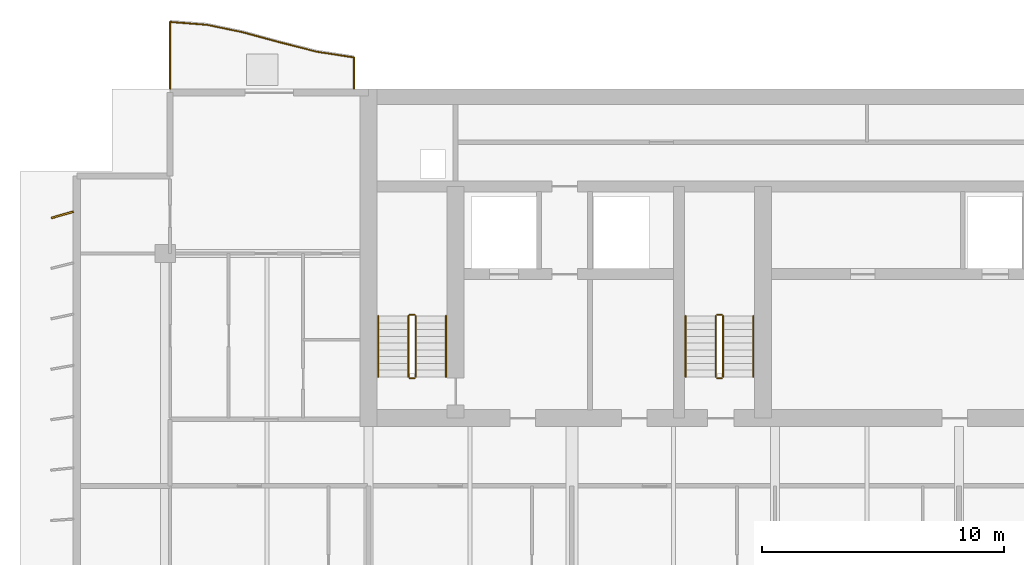
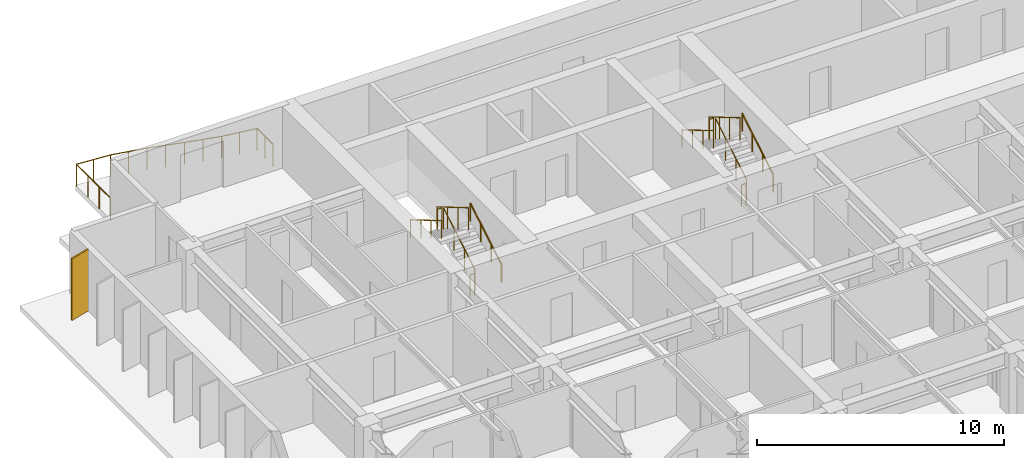
# One storey, part 15 of 17: 13 railings, 1 shading device.
"""IFC4 building model written with IfcOpenShell, lengths in metres."""

import ifcopenshell
import ifcopenshell.guid

model = None  # the IFC model being written
_history = None  # IfcOwnerHistory: only IFC2X3 demands one
_inside = {}  # id of a spatial element -> (the spatial element, [elements in it])
_under = {}  # id of a project, library or spatial element -> (it, [spatial elements below it])
_declared = {}  # id of a project -> (the project, [libraries it declares])
_typed = {}  # id of a type object -> (the type object, [elements of that type])
_made_of = {}  # id of a material, layer set ... -> (it, [elements and type objects made of it])


def new_model(schema):
    """Start an empty IFC model of exactly this schema.

    Asked for "IFC4X3", IfcOpenShell would pick the latest addendum, in which some entities
    have other attributes; the version numbers below select the first issue.
    IFC2X3 requires an IfcOwnerHistory on every rooted entity: one is made here for all.
    """
    global model, _history
    if schema == "IFC4X3":
        model = ifcopenshell.file(schema_version=(4, 3, 0, 0))
    else:
        model = ifcopenshell.file(schema=schema)
    _inside.clear()
    _under.clear()
    _declared.clear()
    _typed.clear()
    _made_of.clear()
    _history = None
    if model.schema == "IFC2X3":
        org = make("IfcOrganization", Name="unknown")
        user = make(
            "IfcPersonAndOrganization",
            ThePerson=make("IfcPerson", FamilyName="unknown"),
            TheOrganization=org,
        )
        app = make(
            "IfcApplication",
            ApplicationDeveloper=org,
            Version="unknown",
            ApplicationFullName="unknown",
            ApplicationIdentifier="unknown",
        )
        _history = make(
            "IfcOwnerHistory",
            OwningUser=user,
            OwningApplication=app,
            ChangeAction="ADDED",
            CreationDate=0,
        )
    return model


def make(cls, **values):
    """One entity of the class cls with the attributes given. An attribute that is None is left unset."""
    return model.create_entity(
        cls, **{name: value for name, value in values.items() if value is not None}
    )


def rooted(cls, **values):
    """An entity with a GlobalId (a new one), such as an element, a storey or a relation."""
    return make(cls, GlobalId=ifcopenshell.guid.new(), OwnerHistory=_history, **values)


def si_unit(unit_type, name, prefix=None):
    """IfcSIUnit, for example si_unit("LENGTHUNIT", "METRE", prefix="MILLI")."""
    return make("IfcSIUnit", UnitType=unit_type, Prefix=prefix, Name=name)


def assignment(units):
    """IfcUnitAssignment: the units of a project."""
    return None if units is None else make("IfcUnitAssignment", Units=units)


def point(xyz):
    """IfcCartesianPoint."""
    return None if xyz is None else make("IfcCartesianPoint", Coordinates=xyz)


def direction(xyz):
    """IfcDirection."""
    return None if xyz is None else make("IfcDirection", DirectionRatios=xyz)


def frame(location, z_axis=None, x_axis=None):
    """IfcAxis2Placement3D, a coordinate frame: its origin and axes. An axis left out is left unset."""
    return make(
        "IfcAxis2Placement3D",
        Location=point(location),
        Axis=direction(z_axis),
        RefDirection=direction(x_axis),
    )


def frame_2d(location, x_axis=None):
    """IfcAxis2Placement2D, a coordinate frame in the plane: its origin and x axis."""
    return make(
        "IfcAxis2Placement2D", Location=point(location), RefDirection=direction(x_axis)
    )


def origin():
    """The frame at (0, 0, 0) with its axes left unset."""
    return frame((0.0, 0.0, 0.0))


def origin_2d():
    """The frame at (0, 0) in the plane with its x axis left unset."""
    return frame_2d((0.0, 0.0))


def place(relative_to, where):
    """IfcLocalPlacement: puts the frame where relative to a parent placement (None: the world)."""
    return make(
        "IfcLocalPlacement", PlacementRelTo=relative_to, RelativePlacement=where
    )


def context(
    kind, dimensions, precision=None, world=None, true_north=None, identifier=None
):
    """IfcGeometricRepresentationContext, for example the 3D "Model" context."""
    return make(
        "IfcGeometricRepresentationContext",
        ContextIdentifier=identifier,
        ContextType=kind,
        CoordinateSpaceDimension=dimensions,
        Precision=precision,
        WorldCoordinateSystem=world,
        TrueNorth=true_north,
    )


def subcontext(parent, identifier, kind, view, scale=None):
    """IfcGeometricRepresentationSubContext, for example "Body" below "Model"."""
    return make(
        "IfcGeometricRepresentationSubContext",
        ContextIdentifier=identifier,
        ContextType=kind,
        ParentContext=parent,
        TargetScale=scale,
        TargetView=view,
    )


def project(units=None, contexts=None):
    """IfcProject with its units and contexts."""
    return rooted(
        "IfcProject",
        Name="project",
        RepresentationContexts=contexts,
        UnitsInContext=assignment(units),
    )


def spatial(cls, under=None, at=None, **own):
    """A site, building, storey or space (cls), placed at a placement, below another one or the project."""
    s = rooted(cls, ObjectPlacement=at, **own)
    if under is not None:
        _under.setdefault(under.id(), (under, []))[1].append(s)
    return s


def profile(cls, at=None, kind="AREA", **sizes):
    """A parametric profile (cls). Its sizes go by their IFC names, for example OverallWidth=200.0."""
    return make(cls, ProfileType=kind, Position=at, **sizes)


def rectangle(**sizes):
    """IfcRectangleProfileDef."""
    return profile("IfcRectangleProfileDef", **sizes)


def circle(**sizes):
    """IfcCircleProfileDef."""
    return profile("IfcCircleProfileDef", **sizes)


def extrude(swept, where, along, depth):
    """IfcExtrudedAreaSolid: the profile swept, set in the frame where, extruded along a direction by depth."""
    return make(
        "IfcExtrudedAreaSolid",
        SweptArea=swept,
        Position=where,
        ExtrudedDirection=direction(along),
        Depth=depth,
    )


def shape(context_of_items, identifier, shape_type, items):
    """IfcShapeRepresentation: the items that make up one representation, for example the "Body"."""
    return make(
        "IfcShapeRepresentation",
        ContextOfItems=context_of_items,
        RepresentationIdentifier=identifier,
        RepresentationType=shape_type,
        Items=items,
    )


def material(Name=None, Category=None):
    """IfcMaterial."""
    return make("IfcMaterial", Name=Name, Category=Category)


def material_profile(
    of_material, cross_section, Name=None, Category=None, Priority=None
):
    """IfcMaterialProfile: a cross section and its material."""
    return make(
        "IfcMaterialProfile",
        Name=Name,
        Material=of_material,
        Profile=cross_section,
        Priority=Priority,
        Category=Category,
    )


def profile_set(profiles, Name=None, composite=None):
    """IfcMaterialProfileSet."""
    return make(
        "IfcMaterialProfileSet",
        Name=Name,
        MaterialProfiles=profiles,
        CompositeProfile=composite,
    )


def made_of(thing, what):
    """Note that an element or type object is made of a material, layer set ...; save() writes the relation."""
    if what is not None:
        _made_of.setdefault(what.id(), (what, []))[1].append(thing)
    return thing


def type_object(cls, material=None, **own):
    """A type object (cls), such as IfcWallType, which elements share."""
    return made_of(rooted(cls, **own), material)


def element(
    cls,
    number,
    at=None,
    inside=None,
    cuts=None,
    type_object=None,
    material=None,
    context=None,
    identifier="Body",
    shape_type=None,
    held_by="IfcProductDefinitionShape",
    body=None,
    shapes=None,
    **own,
):
    """One element of the class cls, such as IfcWall. Its Tag is "e" and its number.

    at: its placement. inside: the storey or other place that contains it. cuts: it is an
    opening in that element (IfcRelVoidsElement). A single representation is given by context,
    identifier, shape_type and body (its items); several are given by shapes. held_by: the class
    of the entity that holds the representations. save() writes the other relations.
    """
    e = rooted(cls, Tag="e%d" % number, ObjectPlacement=at, **own)
    if body is not None:
        shapes = [shape(context, identifier, shape_type, body)]
    if shapes is not None:
        e.Representation = make(held_by, Representations=shapes)
    if inside is not None:
        _inside.setdefault(inside.id(), (inside, []))[1].append(e)
    if cuts is not None:
        rooted(
            "IfcRelVoidsElement", RelatingBuildingElement=cuts, RelatedOpeningElement=e
        )
    if type_object is not None:
        _typed.setdefault(type_object.id(), (type_object, []))[1].append(e)
    return made_of(e, material)


def aggregate(whole, parts):
    """IfcRelAggregates: a whole, such as a stair, and the parts it consists of."""
    return rooted("IfcRelAggregates", RelatingObject=whole, RelatedObjects=parts)


def save(model, path):
    """Write the relations noted so far, then the file.

    IfcRelAggregates (storeys below a building ...), IfcRelContainedInSpatialStructure (elements
    in a storey), IfcRelDefinesByType, IfcRelAssociatesMaterial and IfcRelDeclares: one each for
    every whole, place, type object, material and project.
    """
    for whole, parts in _under.values():
        aggregate(whole, parts)
    for where, things in _inside.values():
        rooted(
            "IfcRelContainedInSpatialStructure",
            RelatedElements=things,
            RelatingStructure=where,
        )
    for kind, things in _typed.values():
        rooted("IfcRelDefinesByType", RelatedObjects=things, RelatingType=kind)
    for what, things in _made_of.values():
        rooted("IfcRelAssociatesMaterial", RelatedObjects=things, RelatingMaterial=what)
    for by, libraries in _declared.values():
        rooted("IfcRelDeclares", RelatingContext=by, RelatedDefinitions=libraries)
    model.write(path)


model = new_model("IFC4")

# Units and contexts
model_context = context("Model", 3, precision=1e-05, world=origin(), true_north=direction((0.0, 1.0)))
body_context = subcontext(model_context, "Body", "Model", "MODEL_VIEW")
ifc_project = project(units=[si_unit("LENGTHUNIT", "METRE"), si_unit("AREAUNIT", "SQUARE_METRE"), si_unit("VOLUMEUNIT", "CUBIC_METRE"), si_unit("PLANEANGLEUNIT", "RADIAN"), si_unit("MASSUNIT", "GRAM", prefix="KILO")], contexts=[model_context])

# Site, building, storey
site_placement = place(None, origin())
site = spatial("IfcSite", under=ifc_project, at=site_placement, CompositionType="ELEMENT")
building_placement = place(site_placement, origin())
building = spatial("IfcBuilding", under=site, at=building_placement, Name="Caelmar Bay Residences", CompositionType="ELEMENT")
storey_placement = place(building_placement, frame((0.0, 0.0, 157.199951171875)))
storey = spatial("IfcBuildingStorey", under=building, at=storey_placement, Name="L43", CompositionType="ELEMENT", Elevation=157.199951171875)

# Railings
ifc_material_1 = material(Name="Anodised bronze handrail with laminated hurricane glass infill", Category="glass")
railing_type_1 = type_object("IfcRailingType", Name="RL-BAL-1100", PredefinedType="BALUSTRADE", material=ifc_material_1)
railing_1_placement = place(storey_placement, frame((17.699951171875, 50.60009765625, 0.0)))
element("IfcRailing", 1, at=railing_1_placement, inside=storey, type_object=railing_type_1, Name="L43 north_west Balcony Balustrade", PredefinedType="BALUSTRADE", context=body_context, shape_type="SweptSolid", body=[
    extrude(circle(Radius=0.02392578125, at=origin_2d()), frame((0.0, 0.0, 1.076171875), z_axis=(0.0, 1.0, 0.0), x_axis=(-1.0, 0.0, 0.0)), (0.0, 0.0, 1.0), 1.30322265625),
    extrude(circle(Radius=0.02392578125, at=origin_2d()), frame((0.0, 1.30322265625, 1.076171875), z_axis=(-0.988581843738, 0.150684897158, 0.0), x_axis=(-0.150684897158, -0.988581843738, 0.0)), (0.0, 0.0, 1.0), 1.53759765625),
    extrude(circle(Radius=0.02392578125, at=origin_2d()), frame((-1.52001953125, 1.534912109375, 1.076171875), z_axis=(-0.969497919705, 0.245099538326, 0.0), x_axis=(-0.245099538326, -0.969497919705, 0.0)), (0.0, 0.0, 1.0), 1.56787109375),
    extrude(circle(Radius=0.02392578125, at=origin_2d()), frame((-3.0400390625, 1.919189453125, 1.076171875), z_axis=(-0.964527479323, 0.263982464627, 0.0), x_axis=(-0.263982464627, -0.964527479323, 0.0)), (0.0, 0.0, 1.0), 1.575927734375),
    extrude(circle(Radius=0.02392578125, at=origin_2d()), frame((-4.56005859375, 2.335205078125, 1.076171875), z_axis=(-0.978976494466, 0.20397309451, 0.0), x_axis=(-0.20397309451, -0.978976494466, 0.0)), (0.0, 0.0, 1.0), 1.552490234375),
    extrude(circle(Radius=0.02392578125, at=origin_2d()), frame((-6.079833984375, 2.65185546875, 1.076171875), z_axis=(-0.996991988413, 0.077504677544, 0.0), x_axis=(-0.077504677544, -0.996991988413, 0.0)), (0.0, 0.0, 1.0), 1.524658203125),
    extrude(circle(Radius=0.02392578125, at=origin_2d()), frame((-7.599853515625, 2.77001953125, 1.076171875), z_axis=(0.0, -1.0, 0.0), x_axis=(1.0, 0.0, 0.0)), (0.0, 0.0, 1.0), 2.77001953125),
    extrude(circle(Radius=0.02099609375, at=origin_2d()), origin(), (0.0, 0.0, 1.0), 1.052001953125),
    extrude(circle(Radius=0.02099609375, at=origin_2d()), frame((0.0, 0.651611328125, 0.0)), (0.0, 0.0, 1.0), 1.052001953125),
    extrude(circle(Radius=0.02099609375, at=origin_2d()), frame((0.0, 1.30322265625, 0.0)), (0.0, 0.0, 1.0), 1.052001953125),
    extrude(circle(Radius=0.02099609375, at=origin_2d()), frame((-0.760009765625, 1.4189453125, 0.0)), (0.0, 0.0, 1.0), 1.052001953125),
    extrude(circle(Radius=0.02099609375, at=origin_2d()), frame((-1.52001953125, 1.534912109375, 0.0)), (0.0, 0.0, 1.0), 1.052001953125),
    extrude(circle(Radius=0.02099609375, at=origin_2d()), frame((-2.280029296875, 1.72705078125, 0.0)), (0.0, 0.0, 1.0), 1.052001953125),
    extrude(circle(Radius=0.02099609375, at=origin_2d()), frame((-3.0400390625, 1.919189453125, 0.0)), (0.0, 0.0, 1.0), 1.052001953125),
    extrude(circle(Radius=0.02099609375, at=origin_2d()), frame((-3.800048828125, 2.127197265625, 0.0)), (0.0, 0.0, 1.0), 1.052001953125),
    extrude(circle(Radius=0.02099609375, at=origin_2d()), frame((-4.56005859375, 2.335205078125, 0.0)), (0.0, 0.0, 1.0), 1.052001953125),
    extrude(circle(Radius=0.02099609375, at=origin_2d()), frame((-5.31982421875, 2.49365234375, 0.0)), (0.0, 0.0, 1.0), 1.052001953125),
    extrude(circle(Radius=0.02099609375, at=origin_2d()), frame((-6.079833984375, 2.65185546875, 0.0)), (0.0, 0.0, 1.0), 1.052001953125),
    extrude(circle(Radius=0.02099609375, at=origin_2d()), frame((-6.83984375, 2.7109375, 0.0)), (0.0, 0.0, 1.0), 1.052001953125),
    extrude(circle(Radius=0.02099609375, at=origin_2d()), frame((-7.599853515625, 2.77001953125, 0.0)), (0.0, 0.0, 1.0), 1.052001953125),
    extrude(circle(Radius=0.02099609375, at=origin_2d()), frame((-7.599853515625, 1.8466796875, 0.0)), (0.0, 0.0, 1.0), 1.052001953125),
    extrude(circle(Radius=0.02099609375, at=origin_2d()), frame((-7.599853515625, 0.92333984375, 0.0)), (0.0, 0.0, 1.0), 1.052001953125),
    extrude(circle(Radius=0.02099609375, at=origin_2d()), frame((-7.599853515625, 0.0, 0.0)), (0.0, 0.0, 1.0), 1.052001953125),
])
ifc_material_2 = material(Name="Painted galvanized steel stair guard 1100 mm", Category="steel")
railing_type_2 = type_object("IfcRailingType", Name="RL-GRD-1100", PredefinedType="GUARDRAIL", material=ifc_material_2)
railing_2_placement = place(storey_placement, frame((20.25, 38.699951171875, 0.1650390625)))
element("IfcRailing", 2, at=railing_2_placement, inside=storey, type_object=railing_type_2, Name="L43 ST1 stair guard 1", PredefinedType="GUARDRAIL", context=body_context, shape_type="SweptSolid", body=[
    extrude(circle(Radius=0.02392578125, at=origin_2d()), frame((0.0, 0.0, 1.076171875), z_axis=(0.0, 0.86152411907, 0.507716645641), x_axis=(-1.0, 0.0, 0.0)), (0.0, 0.0, 1.0), 2.925048828125),
    extrude(circle(Radius=0.02099609375, at=origin_2d()), origin(), (0.0, 0.0, 1.0), 1.052001953125),
    extrude(circle(Radius=0.02099609375, at=origin_2d()), frame((0.0, 0.840087890625, 0.4951171875)), (0.0, 0.0, 1.0), 1.052001953125),
    extrude(circle(Radius=0.02099609375, at=origin_2d()), frame((0.0, 1.679931640625, 0.989990234375)), (0.0, 0.0, 1.0), 1.052001953125),
    extrude(circle(Radius=0.02099609375, at=origin_2d()), frame((0.0, 2.52001953125, 1.485107421875)), (0.0, 0.0, 1.0), 1.052001953125),
])
railing_3_placement = place(storey_placement, frame((20.199951171875, 41.27001953125, 1.650146484375)))
element("IfcRailing", 3, at=railing_3_placement, inside=storey, type_object=railing_type_2, Name="L43 ST1 stair guard 2", PredefinedType="GUARDRAIL", context=body_context, shape_type="SweptSolid", body=[
    extrude(circle(Radius=0.02392578125, at=origin_2d()), frame((0.0, 0.0, 1.076171875), z_axis=(-1.0, 0.0, 0.0), x_axis=(0.0, -1.0, 0.0)), (0.0, 0.0, 1.0), 0.199951171875),
    extrude(circle(Radius=0.02099609375, at=origin_2d()), origin(), (0.0, 0.0, 1.0), 1.052001953125),
    extrude(circle(Radius=0.02099609375, at=origin_2d()), frame((-0.199951171875, 0.0, 0.0)), (0.0, 0.0, 1.0), 1.052001953125),
])
railing_4_placement = place(storey_placement, frame((19.949951171875, 41.219970703125, 1.81494140625)))
element("IfcRailing", 4, at=railing_4_placement, inside=storey, type_object=railing_type_2, Name="L43 ST1 stair guard 3", PredefinedType="GUARDRAIL", context=body_context, shape_type="SweptSolid", body=[
    extrude(circle(Radius=0.02392578125, at=origin_2d()), frame((0.0, 0.0, 1.076171875), z_axis=(0.0, -0.86152411907, 0.507716645641), x_axis=(1.0, 0.0, 0.0)), (0.0, 0.0, 1.0), 2.925048828125),
    extrude(circle(Radius=0.02099609375, at=origin_2d()), origin(), (0.0, 0.0, 1.0), 1.052001953125),
    extrude(circle(Radius=0.02099609375, at=origin_2d()), frame((0.0, -0.840087890625, 0.4951171875)), (0.0, 0.0, 1.0), 1.052001953125),
    extrude(circle(Radius=0.02099609375, at=origin_2d()), frame((0.0, -1.679931640625, 0.989990234375)), (0.0, 0.0, 1.0), 1.052001953125),
    extrude(circle(Radius=0.02099609375, at=origin_2d()), frame((0.0, -2.52001953125, 1.485107421875)), (0.0, 0.0, 1.0), 1.052001953125),
])
railing_5_placement = place(storey_placement, frame((20.199951171875, 38.64990234375, 0.0)))
element("IfcRailing", 5, at=railing_5_placement, inside=storey, type_object=railing_type_2, Name="L43 ST1 stair guard 4", PredefinedType="GUARDRAIL", context=body_context, shape_type="SweptSolid", body=[
    extrude(circle(Radius=0.02392578125, at=origin_2d()), frame((0.0, 0.0, 1.076171875), z_axis=(-1.0, 0.0, 0.0), x_axis=(0.0, -1.0, 0.0)), (0.0, 0.0, 1.0), 0.199951171875),
    extrude(circle(Radius=0.02099609375, at=origin_2d()), origin(), (0.0, 0.0, 1.0), 1.052001953125),
    extrude(circle(Radius=0.02099609375, at=origin_2d()), frame((-0.199951171875, 0.0, 0.0)), (0.0, 0.0, 1.0), 1.052001953125),
])
railing_6_placement = place(storey_placement, frame((32.949951171875, 38.699951171875, 0.1650390625)))
element("IfcRailing", 6, at=railing_6_placement, inside=storey, type_object=railing_type_2, Name="L43 ST3 stair guard 1", PredefinedType="GUARDRAIL", context=body_context, shape_type="SweptSolid", body=[
    extrude(circle(Radius=0.02392578125, at=origin_2d()), frame((0.0, 0.0, 1.076171875), z_axis=(0.0, 0.86152411907, 0.507716645641), x_axis=(-1.0, 0.0, 0.0)), (0.0, 0.0, 1.0), 2.925048828125),
    extrude(circle(Radius=0.02099609375, at=origin_2d()), origin(), (0.0, 0.0, 1.0), 1.052001953125),
    extrude(circle(Radius=0.02099609375, at=origin_2d()), frame((0.0, 0.840087890625, 0.4951171875)), (0.0, 0.0, 1.0), 1.052001953125),
    extrude(circle(Radius=0.02099609375, at=origin_2d()), frame((0.0, 1.679931640625, 0.989990234375)), (0.0, 0.0, 1.0), 1.052001953125),
    extrude(circle(Radius=0.02099609375, at=origin_2d()), frame((0.0, 2.52001953125, 1.485107421875)), (0.0, 0.0, 1.0), 1.052001953125),
])
railing_7_placement = place(storey_placement, frame((32.89990234375, 41.27001953125, 1.650146484375)))
element("IfcRailing", 7, at=railing_7_placement, inside=storey, type_object=railing_type_2, Name="L43 ST3 stair guard 2", PredefinedType="GUARDRAIL", context=body_context, shape_type="SweptSolid", body=[
    extrude(circle(Radius=0.02392578125, at=origin_2d()), frame((0.0, 0.0, 1.076171875), z_axis=(-1.0, 0.0, 0.0), x_axis=(0.0, -1.0, 0.0)), (0.0, 0.0, 1.0), 0.199951171875),
    extrude(circle(Radius=0.02099609375, at=origin_2d()), origin(), (0.0, 0.0, 1.0), 1.052001953125),
    extrude(circle(Radius=0.02099609375, at=origin_2d()), frame((-0.199951171875, 0.0, 0.0)), (0.0, 0.0, 1.0), 1.052001953125),
])
railing_8_placement = place(storey_placement, frame((32.64990234375, 41.219970703125, 1.81494140625)))
element("IfcRailing", 8, at=railing_8_placement, inside=storey, type_object=railing_type_2, Name="L43 ST3 stair guard 3", PredefinedType="GUARDRAIL", context=body_context, shape_type="SweptSolid", body=[
    extrude(circle(Radius=0.02392578125, at=origin_2d()), frame((0.0, 0.0, 1.076171875), z_axis=(0.0, -0.86152411907, 0.507716645641), x_axis=(1.0, 0.0, 0.0)), (0.0, 0.0, 1.0), 2.925048828125),
    extrude(circle(Radius=0.02099609375, at=origin_2d()), origin(), (0.0, 0.0, 1.0), 1.052001953125),
    extrude(circle(Radius=0.02099609375, at=origin_2d()), frame((0.0, -0.840087890625, 0.4951171875)), (0.0, 0.0, 1.0), 1.052001953125),
    extrude(circle(Radius=0.02099609375, at=origin_2d()), frame((0.0, -1.679931640625, 0.989990234375)), (0.0, 0.0, 1.0), 1.052001953125),
    extrude(circle(Radius=0.02099609375, at=origin_2d()), frame((0.0, -2.52001953125, 1.485107421875)), (0.0, 0.0, 1.0), 1.052001953125),
])
railing_9_placement = place(storey_placement, frame((32.89990234375, 38.64990234375, 0.0)))
element("IfcRailing", 9, at=railing_9_placement, inside=storey, type_object=railing_type_2, Name="L43 ST3 stair guard 4", PredefinedType="GUARDRAIL", context=body_context, shape_type="SweptSolid", body=[
    extrude(circle(Radius=0.02392578125, at=origin_2d()), frame((0.0, 0.0, 1.076171875), z_axis=(-1.0, 0.0, 0.0), x_axis=(0.0, -1.0, 0.0)), (0.0, 0.0, 1.0), 0.199951171875),
    extrude(circle(Radius=0.02099609375, at=origin_2d()), origin(), (0.0, 0.0, 1.0), 1.052001953125),
    extrude(circle(Radius=0.02099609375, at=origin_2d()), frame((-0.199951171875, 0.0, 0.0)), (0.0, 0.0, 1.0), 1.052001953125),
])
ifc_material_3 = material(Name="Brushed bronze stainless-steel tubular handrail 900 mm", Category="steel")
railing_type_3 = type_object("IfcRailingType", Name="RL-HND-900", PredefinedType="HANDRAIL", material=ifc_material_3)
railing_10_placement = place(storey_placement, frame((21.5, 38.699951171875, 0.1650390625)))
element("IfcRailing", 10, at=railing_10_placement, inside=storey, type_object=railing_type_3, Name="L43 ST1 stair handrail 1", PredefinedType="HANDRAIL", context=body_context, shape_type="SweptSolid", body=[
    extrude(circle(Radius=0.02392578125, at=origin_2d()), frame((0.0, 0.0, 0.8759765625), z_axis=(0.0, 0.86152411907, 0.507716645641), x_axis=(-1.0, 0.0, 0.0)), (0.0, 0.0, 1.0), 2.925048828125),
    extrude(circle(Radius=0.02099609375, at=origin_2d()), origin(), (0.0, 0.0, 1.0), 0.851806640625),
    extrude(circle(Radius=0.02099609375, at=origin_2d()), frame((0.0, 0.840087890625, 0.4951171875)), (0.0, 0.0, 1.0), 0.851806640625),
    extrude(circle(Radius=0.02099609375, at=origin_2d()), frame((0.0, 1.679931640625, 0.989990234375)), (0.0, 0.0, 1.0), 0.851806640625),
    extrude(circle(Radius=0.02099609375, at=origin_2d()), frame((0.0, 2.52001953125, 1.485107421875)), (0.0, 0.0, 1.0), 0.851806640625),
])
railing_11_placement = place(storey_placement, frame((18.699951171875, 41.219970703125, 1.81494140625)))
element("IfcRailing", 11, at=railing_11_placement, inside=storey, type_object=railing_type_3, Name="L43 ST1 stair handrail 2", PredefinedType="HANDRAIL", context=body_context, shape_type="SweptSolid", body=[
    extrude(circle(Radius=0.02392578125, at=origin_2d()), frame((0.0, 0.0, 0.8759765625), z_axis=(0.0, -0.86152411907, 0.507716645641), x_axis=(1.0, 0.0, 0.0)), (0.0, 0.0, 1.0), 2.925048828125),
    extrude(circle(Radius=0.02099609375, at=origin_2d()), origin(), (0.0, 0.0, 1.0), 0.851806640625),
    extrude(circle(Radius=0.02099609375, at=origin_2d()), frame((0.0, -0.840087890625, 0.4951171875)), (0.0, 0.0, 1.0), 0.851806640625),
    extrude(circle(Radius=0.02099609375, at=origin_2d()), frame((0.0, -1.679931640625, 0.989990234375)), (0.0, 0.0, 1.0), 0.851806640625),
    extrude(circle(Radius=0.02099609375, at=origin_2d()), frame((0.0, -2.52001953125, 1.485107421875)), (0.0, 0.0, 1.0), 0.851806640625),
])
railing_12_placement = place(storey_placement, frame((34.199951171875, 38.699951171875, 0.1650390625)))
element("IfcRailing", 12, at=railing_12_placement, inside=storey, type_object=railing_type_3, Name="L43 ST3 stair handrail 1", PredefinedType="HANDRAIL", context=body_context, shape_type="SweptSolid", body=[
    extrude(circle(Radius=0.02392578125, at=origin_2d()), frame((0.0, 0.0, 0.8759765625), z_axis=(0.0, 0.86152411907, 0.507716645641), x_axis=(-1.0, 0.0, 0.0)), (0.0, 0.0, 1.0), 2.925048828125),
    extrude(circle(Radius=0.02099609375, at=origin_2d()), origin(), (0.0, 0.0, 1.0), 0.851806640625),
    extrude(circle(Radius=0.02099609375, at=origin_2d()), frame((0.0, 0.840087890625, 0.4951171875)), (0.0, 0.0, 1.0), 0.851806640625),
    extrude(circle(Radius=0.02099609375, at=origin_2d()), frame((0.0, 1.679931640625, 0.989990234375)), (0.0, 0.0, 1.0), 0.851806640625),
    extrude(circle(Radius=0.02099609375, at=origin_2d()), frame((0.0, 2.52001953125, 1.485107421875)), (0.0, 0.0, 1.0), 0.851806640625),
])
railing_13_placement = place(storey_placement, frame((31.39990234375, 41.219970703125, 1.81494140625)))
element("IfcRailing", 13, at=railing_13_placement, inside=storey, type_object=railing_type_3, Name="L43 ST3 stair handrail 2", PredefinedType="HANDRAIL", context=body_context, shape_type="SweptSolid", body=[
    extrude(circle(Radius=0.02392578125, at=origin_2d()), frame((0.0, 0.0, 0.8759765625), z_axis=(0.0, -0.86152411907, 0.507716645641), x_axis=(1.0, 0.0, 0.0)), (0.0, 0.0, 1.0), 2.925048828125),
    extrude(circle(Radius=0.02099609375, at=origin_2d()), origin(), (0.0, 0.0, 1.0), 0.851806640625),
    extrude(circle(Radius=0.02099609375, at=origin_2d()), frame((0.0, -0.840087890625, 0.4951171875)), (0.0, 0.0, 1.0), 0.851806640625),
    extrude(circle(Radius=0.02099609375, at=origin_2d()), frame((0.0, -1.679931640625, 0.989990234375)), (0.0, 0.0, 1.0), 0.851806640625),
    extrude(circle(Radius=0.02099609375, at=origin_2d()), frame((0.0, -2.52001953125, 1.485107421875)), (0.0, 0.0, 1.0), 0.851806640625),
])

# Shading device
ifc_material_4 = material(Name="Anodised architectural bronze aluminium 6063-T6", Category="aluminium")
ifc_material_profile = material_profile(ifc_material_4, rectangle(XDim=0.074951171875, YDim=0.949951171875, at=origin_2d()), Name="BRONZE-FIN-75X950")
ifc_profile_set = profile_set([ifc_material_profile], Name="Anodised architectural bronze aluminium 6063-T6")
shading_device_type = type_object("IfcShadingDeviceType", Name="SHD-FIN-950", PredefinedType="USERDEFINED", material=ifc_profile_set)
shading_device_placement = place(storey_placement, frame((5.64990234375, 45.39990234375, 0.0), z_axis=(0.0, 0.0, 1.0), x_axis=(-0.275637355817, 0.961261695938, 0.0)))
element("IfcShadingDevice", 14, at=shading_device_placement, inside=storey, type_object=shading_device_type, Name="L43 West Bronze Solar Fin 17", ObjectType="FIN", PredefinedType="USERDEFINED", context=body_context, shape_type="SweptSolid", body=[
    extrude(rectangle(XDim=0.074951171875, YDim=0.949951171875, at=origin_2d()), origin(), (0.0, 0.0, 1.0), 3.050048828125),
])

save(model, "model.ifc")
